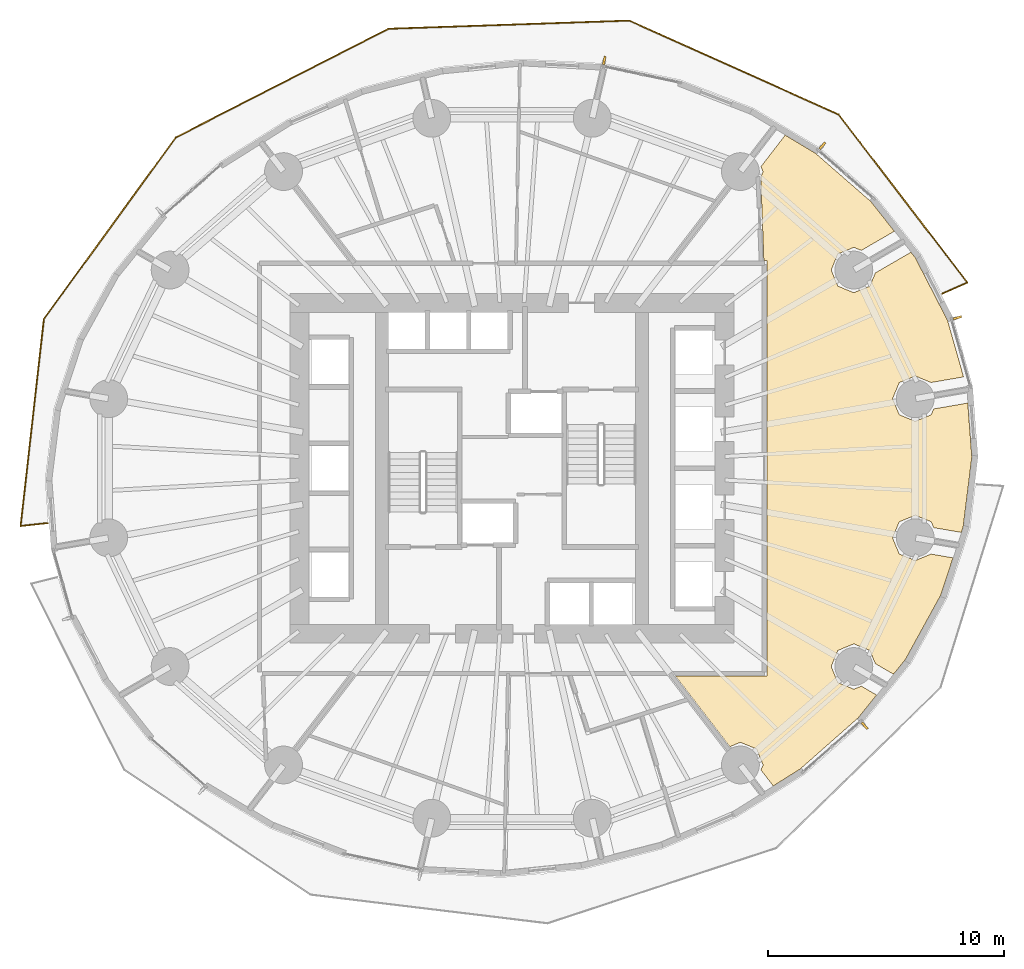
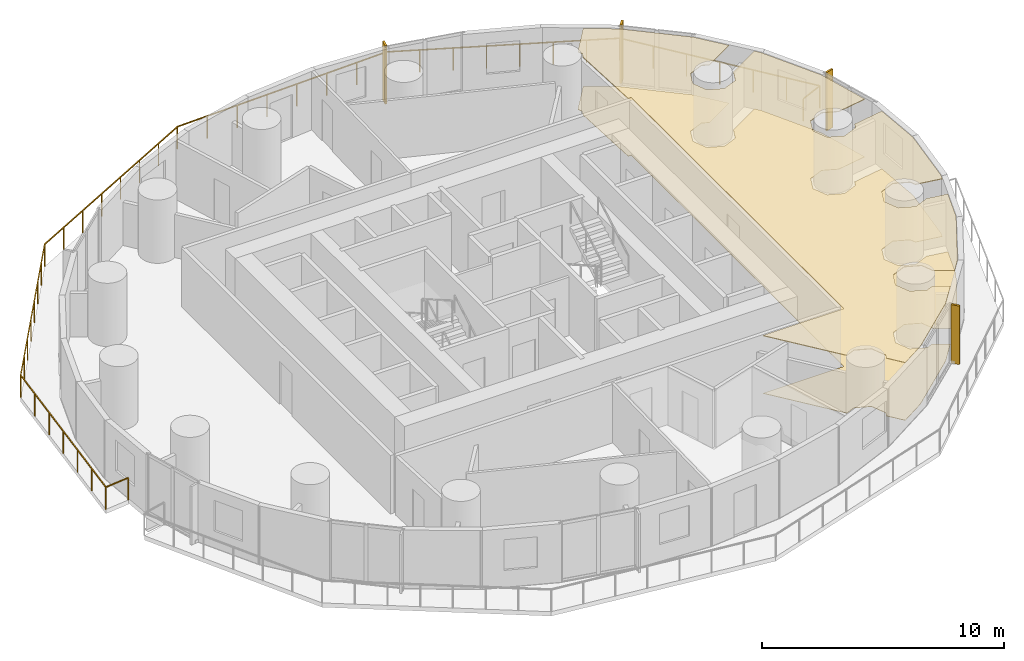
# One storey, part 13 of 13: 4 shading devices, 2 coverings, 1 railing.
"""IFC4 building model written with IfcOpenShell, lengths in metres."""

from ifc_helpers import new_model, si_unit, direction, frame, origin, origin_2d, place, context, subcontext, project, spatial, polyline, rectangle, outline, extrude, material, layer, layer_set, type_object, element, save


model = new_model("IFC4")

# Units and contexts
model_context = context("Model", 3, precision=1e-05, world=origin(), true_north=direction((0.0, 1.0)))
body_context = subcontext(model_context, "Body", "Model", "MODEL_VIEW")
ifc_project = project(units=[si_unit("LENGTHUNIT", "METRE"), si_unit("AREAUNIT", "SQUARE_METRE"), si_unit("VOLUMEUNIT", "CUBIC_METRE"), si_unit("PLANEANGLEUNIT", "RADIAN"), si_unit("MASSUNIT", "GRAM", prefix="KILO")], contexts=[model_context])

# Site, building, storey
site_placement = place(None, origin())
site = spatial("IfcSite", under=ifc_project, at=site_placement, CompositionType="ELEMENT")
building_placement = place(site_placement, origin())
building = spatial("IfcBuilding", under=site, at=building_placement, Name="Veldorim Arch Residences", CompositionType="ELEMENT")
storey_placement = place(building_placement, frame((0.0, 0.0, 44.0)))
storey = spatial("IfcBuildingStorey", under=building, at=storey_placement, Name="L12", CompositionType="ELEMENT", Elevation=44.0)

# Railing
ifc_material_1 = material(Name="Aluminium", Category="aluminium")
railing_type = type_object("IfcRailingType", Name="Balcony & Terrace Laminated Glass Balustrade 1150", PredefinedType="BALUSTRADE", material=ifc_material_1)
railing_placement = place(storey_placement, frame((50.2177734375, 31.396484375, 0.0)))
element("IfcRailing", 1, at=railing_placement, inside=storey, type_object=railing_type, Name="L12 crescent balcony safety balustrade A", PredefinedType="BALUSTRADE", context=body_context, shape_type="SweptSolid", body=[
    extrude(rectangle(XDim=0.048095703125, YDim=0.048095703125, at=origin_2d()), frame((0.0, 0.0, 1.1259765625), z_axis=(0.914650093829, 0.404246466725, 0.0), x_axis=(-0.404246466725, 0.914650093829, 0.0)), (0.0, 0.0, 1.0), 1.14990234375),
    extrude(rectangle(XDim=0.048095703125, YDim=0.048095703125, at=origin_2d()), frame((1.0517578125, 0.46484375, 1.1259765625), z_axis=(-0.608174072746, 0.793803689358, 0.0), x_axis=(-0.793803689358, -0.608174072746, 0.0)), (0.0, 0.0, 1.0), 8.959228515625),
    extrude(rectangle(XDim=0.048095703125, YDim=0.048095703125, at=origin_2d()), frame((-4.39697265625, 7.57666015625, 1.1259765625), z_axis=(-0.912391461702, 0.409318727416, 0.0), x_axis=(-0.409318727416, -0.912391461702, 0.0)), (0.0, 0.0, 1.0), 9.7080078125),
    extrude(rectangle(XDim=0.048095703125, YDim=0.048095703125, at=origin_2d()), frame((-13.25439453125, 11.55029296875, 1.1259765625), z_axis=(-0.999421900422, -0.033998014005, 0.0), x_axis=(0.033998014005, -0.999421900422, 0.0)), (0.0, 0.0, 1.0), 10.197021484375),
    extrude(rectangle(XDim=0.048095703125, YDim=0.048095703125, at=origin_2d()), frame((-23.445556640625, 11.20361328125, 1.1259765625), z_axis=(-0.890528218544, -0.454928007466, 0.0), x_axis=(0.454928007466, -0.890528218544, 0.0)), (0.0, 0.0, 1.0), 10.105224609375),
    extrude(rectangle(XDim=0.048095703125, YDim=0.048095703125, at=origin_2d()), frame((-32.444580078125, 6.6064453125, 1.1259765625), z_axis=(-0.587653663904, -0.809112582587, 0.0), x_axis=(0.809112582587, -0.587653663904, 0.0)), (0.0, 0.0, 1.0), 9.501708984375),
    extrude(rectangle(XDim=0.048095703125, YDim=0.048095703125, at=origin_2d()), frame((-38.0283203125, -1.08154296875, 1.1259765625), z_axis=(-0.111808793335, -0.993729738779, 0.0), x_axis=(0.993729738779, -0.111808793335, 0.0)), (0.0, 0.0, 1.0), 8.812744140625),
    extrude(rectangle(XDim=0.048095703125, YDim=0.048095703125, at=origin_2d()), frame((-39.013671875, -9.839111328125, 1.1259765625), z_axis=(0.994119643816, 0.108287274316, 0.0), x_axis=(-0.108287274316, 0.994119643816, 0.0)), (0.0, 0.0, 1.0), 1.14990234375),
    extrude(rectangle(XDim=0.0419921875, YDim=0.0419921875, at=origin_2d()), origin(), (0.0, 0.0, 1.0), 1.101806640625),
    extrude(rectangle(XDim=0.0419921875, YDim=0.0419921875, at=origin_2d()), frame((1.0517578125, 0.46484375, 0.0)), (0.0, 0.0, 1.0), 1.101806640625),
    extrude(rectangle(XDim=0.0419921875, YDim=0.0419921875, at=origin_2d()), frame((0.1435546875, 1.650146484375, 0.0)), (0.0, 0.0, 1.0), 1.101806640625),
    extrude(rectangle(XDim=0.0419921875, YDim=0.0419921875, at=origin_2d()), frame((-0.764404296875, 2.83544921875, 0.0)), (0.0, 0.0, 1.0), 1.101806640625),
    extrude(rectangle(XDim=0.0419921875, YDim=0.0419921875, at=origin_2d()), frame((-1.672607421875, 4.020751953125, 0.0)), (0.0, 0.0, 1.0), 1.101806640625),
    extrude(rectangle(XDim=0.0419921875, YDim=0.0419921875, at=origin_2d()), frame((-2.580810546875, 5.2060546875, 0.0)), (0.0, 0.0, 1.0), 1.101806640625),
    extrude(rectangle(XDim=0.0419921875, YDim=0.0419921875, at=origin_2d()), frame((-3.48876953125, 6.391357421875, 0.0)), (0.0, 0.0, 1.0), 1.101806640625),
    extrude(rectangle(XDim=0.0419921875, YDim=0.0419921875, at=origin_2d()), frame((-4.39697265625, 7.57666015625, 0.0)), (0.0, 0.0, 1.0), 1.101806640625),
    extrude(rectangle(XDim=0.0419921875, YDim=0.0419921875, at=origin_2d()), frame((-5.662353515625, 8.144287109375, 0.0)), (0.0, 0.0, 1.0), 1.101806640625),
    extrude(rectangle(XDim=0.0419921875, YDim=0.0419921875, at=origin_2d()), frame((-6.927734375, 8.7119140625, 0.0)), (0.0, 0.0, 1.0), 1.101806640625),
    extrude(rectangle(XDim=0.0419921875, YDim=0.0419921875, at=origin_2d()), frame((-8.193115234375, 9.279541015625, 0.0)), (0.0, 0.0, 1.0), 1.101806640625),
    extrude(rectangle(XDim=0.0419921875, YDim=0.0419921875, at=origin_2d()), frame((-9.458251953125, 9.847412109375, 0.0)), (0.0, 0.0, 1.0), 1.101806640625),
    extrude(rectangle(XDim=0.0419921875, YDim=0.0419921875, at=origin_2d()), frame((-10.7236328125, 10.4150390625, 0.0)), (0.0, 0.0, 1.0), 1.101806640625),
    extrude(rectangle(XDim=0.0419921875, YDim=0.0419921875, at=origin_2d()), frame((-11.989013671875, 10.982666015625, 0.0)), (0.0, 0.0, 1.0), 1.101806640625),
    extrude(rectangle(XDim=0.0419921875, YDim=0.0419921875, at=origin_2d()), frame((-13.25439453125, 11.55029296875, 0.0)), (0.0, 0.0, 1.0), 1.101806640625),
    extrude(rectangle(XDim=0.0419921875, YDim=0.0419921875, at=origin_2d()), frame((-14.710205078125, 11.500732421875, 0.0)), (0.0, 0.0, 1.0), 1.101806640625),
    extrude(rectangle(XDim=0.0419921875, YDim=0.0419921875, at=origin_2d()), frame((-16.166259765625, 11.451171875, 0.0)), (0.0, 0.0, 1.0), 1.101806640625),
    extrude(rectangle(XDim=0.0419921875, YDim=0.0419921875, at=origin_2d()), frame((-17.6220703125, 11.401611328125, 0.0)), (0.0, 0.0, 1.0), 1.101806640625),
    extrude(rectangle(XDim=0.0419921875, YDim=0.0419921875, at=origin_2d()), frame((-19.077880859375, 11.352294921875, 0.0)), (0.0, 0.0, 1.0), 1.101806640625),
    extrude(rectangle(XDim=0.0419921875, YDim=0.0419921875, at=origin_2d()), frame((-20.53369140625, 11.302734375, 0.0)), (0.0, 0.0, 1.0), 1.101806640625),
    extrude(rectangle(XDim=0.0419921875, YDim=0.0419921875, at=origin_2d()), frame((-21.98974609375, 11.253173828125, 0.0)), (0.0, 0.0, 1.0), 1.101806640625),
    extrude(rectangle(XDim=0.0419921875, YDim=0.0419921875, at=origin_2d()), frame((-23.445556640625, 11.20361328125, 0.0)), (0.0, 0.0, 1.0), 1.101806640625),
    extrude(rectangle(XDim=0.0419921875, YDim=0.0419921875, at=origin_2d()), frame((-24.731201171875, 10.546875, 0.0)), (0.0, 0.0, 1.0), 1.101806640625),
    extrude(rectangle(XDim=0.0419921875, YDim=0.0419921875, at=origin_2d()), frame((-26.0166015625, 9.89013671875, 0.0)), (0.0, 0.0, 1.0), 1.101806640625),
    extrude(rectangle(XDim=0.0419921875, YDim=0.0419921875, at=origin_2d()), frame((-27.30224609375, 9.2333984375, 0.0)), (0.0, 0.0, 1.0), 1.101806640625),
    extrude(rectangle(XDim=0.0419921875, YDim=0.0419921875, at=origin_2d()), frame((-28.587890625, 8.57666015625, 0.0)), (0.0, 0.0, 1.0), 1.101806640625),
    extrude(rectangle(XDim=0.0419921875, YDim=0.0419921875, at=origin_2d()), frame((-29.87353515625, 7.919921875, 0.0)), (0.0, 0.0, 1.0), 1.101806640625),
    extrude(rectangle(XDim=0.0419921875, YDim=0.0419921875, at=origin_2d()), frame((-31.158935546875, 7.26318359375, 0.0)), (0.0, 0.0, 1.0), 1.101806640625),
    extrude(rectangle(XDim=0.0419921875, YDim=0.0419921875, at=origin_2d()), frame((-32.444580078125, 6.6064453125, 0.0)), (0.0, 0.0, 1.0), 1.101806640625),
    extrude(rectangle(XDim=0.0419921875, YDim=0.0419921875, at=origin_2d()), frame((-33.2421875, 5.508056640625, 0.0)), (0.0, 0.0, 1.0), 1.101806640625),
    extrude(rectangle(XDim=0.0419921875, YDim=0.0419921875, at=origin_2d()), frame((-34.0400390625, 4.409912109375, 0.0)), (0.0, 0.0, 1.0), 1.101806640625),
    extrude(rectangle(XDim=0.0419921875, YDim=0.0419921875, at=origin_2d()), frame((-34.837646484375, 3.3115234375, 0.0)), (0.0, 0.0, 1.0), 1.101806640625),
    extrude(rectangle(XDim=0.0419921875, YDim=0.0419921875, at=origin_2d()), frame((-35.63525390625, 2.21337890625, 0.0)), (0.0, 0.0, 1.0), 1.101806640625),
    extrude(rectangle(XDim=0.0419921875, YDim=0.0419921875, at=origin_2d()), frame((-36.432861328125, 1.114990234375, 0.0)), (0.0, 0.0, 1.0), 1.101806640625),
    extrude(rectangle(XDim=0.0419921875, YDim=0.0419921875, at=origin_2d()), frame((-37.230712890625, 0.016845703125, 0.0)), (0.0, 0.0, 1.0), 1.101806640625),
    extrude(rectangle(XDim=0.0419921875, YDim=0.0419921875, at=origin_2d()), frame((-38.0283203125, -1.08154296875, 0.0)), (0.0, 0.0, 1.0), 1.101806640625),
    extrude(rectangle(XDim=0.0419921875, YDim=0.0419921875, at=origin_2d()), frame((-38.192626953125, -2.541015625, 0.0)), (0.0, 0.0, 1.0), 1.101806640625),
    extrude(rectangle(XDim=0.0419921875, YDim=0.0419921875, at=origin_2d()), frame((-38.356689453125, -4.000732421875, 0.0)), (0.0, 0.0, 1.0), 1.101806640625),
    extrude(rectangle(XDim=0.0419921875, YDim=0.0419921875, at=origin_2d()), frame((-38.52099609375, -5.46044921875, 0.0)), (0.0, 0.0, 1.0), 1.101806640625),
    extrude(rectangle(XDim=0.0419921875, YDim=0.0419921875, at=origin_2d()), frame((-38.685302734375, -6.919921875, 0.0)), (0.0, 0.0, 1.0), 1.101806640625),
    extrude(rectangle(XDim=0.0419921875, YDim=0.0419921875, at=origin_2d()), frame((-38.849365234375, -8.37939453125, 0.0)), (0.0, 0.0, 1.0), 1.101806640625),
    extrude(rectangle(XDim=0.0419921875, YDim=0.0419921875, at=origin_2d()), frame((-39.013671875, -9.839111328125, 0.0)), (0.0, 0.0, 1.0), 1.101806640625),
    extrude(rectangle(XDim=0.0419921875, YDim=0.0419921875, at=origin_2d()), frame((-37.87060546875, -9.714599609375, 0.0)), (0.0, 0.0, 1.0), 1.101806640625),
])

# Coverings
ifc_material_2 = material(Name="Acoustic Gypsum & Mineral Fibre", Category="gypsum")
ifc_layer_1 = layer(ifc_material_2, 0.034912109375, Name="Perforated Acoustic Mineral-Fibre Ceiling 35")
ifc_layer_set_1 = layer_set([ifc_layer_1], Name="Acoustic Gypsum & Mineral Fibre")
covering_type_1 = type_object("IfcCoveringType", Name="Perforated Acoustic Mineral-Fibre Ceiling 35", PredefinedType="CEILING", material=ifc_layer_set_1)
covering_1_placement = place(storey_placement, frame((0.0, 0.0, 2.905029296875)))
element("IfcCovering", 2, at=covering_1_placement, inside=storey, type_object=covering_type_1, Name="L12 acoustic suspended ceiling 02", PredefinedType="CEILING", context=body_context, shape_type="SweptSolid", body=[
    extrude(outline(polyline([(48.386962890625, 21.73291015625), (48.105712890625, 21.05419921875), (48.386962890625, 20.37548828125), (49.065673828125, 20.09423828125), (49.73291015625, 20.37060546875), (50.66357421875, 20.2099609375), (50.148193359375, 18.637939453125), (48.65185546875, 15.914794921875), (48.143798828125, 15.2861328125), (47.3779296875, 15.730224609375), (47.146240234375, 16.28955078125), (46.467529296875, 16.57080078125), (45.788818359375, 16.28955078125), (45.5078125, 15.61083984375), (45.788818359375, 14.93212890625), (46.467529296875, 14.65087890625), (46.781982421875, 14.78125), (47.431396484375, 14.404541015625), (46.6484375, 13.435546875), (44.1982421875, 11.27587890625), (43.055908203125, 10.55859375), (42.5380859375, 11.23095703125), (42.626708984375, 11.44482421875), (42.345703125, 12.12353515625), (41.6669921875, 12.40478515625), (41.221435546875, 12.22021484375), (38.927001953125, 15.199951171875), (42.800048828125, 15.199951171875), (42.800048828125, 32.800048828125), (42.65771484375, 32.800048828125), (42.527587890625, 36.315673828125), (42.626708984375, 36.55517578125), (42.5380859375, 36.76904296875), (43.56103515625, 38.097412109375), (44.84521484375, 37.328857421875), (47.1884765625, 35.2880859375), (48.181884765625, 34.030517578125), (46.781982421875, 33.21875), (46.467529296875, 33.34912109375), (45.788818359375, 33.06787109375), (45.5078125, 32.38916015625), (45.788818359375, 31.71044921875), (46.467529296875, 31.42919921875), (47.146240234375, 31.71044921875), (47.3779296875, 32.269775390625), (48.88330078125, 33.142578125), (49.0693359375, 32.906982421875), (50.432373046875, 30.257568359375), (51.1103515625, 27.8671875), (49.73291015625, 27.62939453125), (49.065673828125, 27.90576171875), (48.386962890625, 27.62451171875), (48.105712890625, 26.94580078125), (48.386962890625, 26.26708984375), (49.065673828125, 25.986083984375), (49.744384765625, 26.26708984375), (49.845947265625, 26.51220703125), (51.287109375, 26.760986328125), (51.459716796875, 24.478515625), (51.093505859375, 21.521484375), (51.01611328125, 21.28564453125), (49.845947265625, 21.48779296875), (49.744384765625, 21.73291015625), (49.065673828125, 22.013916015625), (48.386962890625, 21.73291015625)])), origin(), (0.0, 0.0, 1.0), 0.034912109375),
])
ifc_material_3 = material(Name="Porcelain Ceramic Tile", Category="ceramic")
ifc_layer_2 = layer(ifc_material_3, 0.02001953125, Name="Slip-Resistant Porcelain & Vinyl Floor Finish 20")
ifc_layer_set_2 = layer_set([ifc_layer_2], Name="Porcelain Ceramic Tile")
covering_type_2 = type_object("IfcCoveringType", Name="Slip-Resistant Porcelain & Vinyl Floor Finish 20", PredefinedType="FLOORING", material=ifc_layer_set_2)
covering_2_placement = place(storey_placement, origin())
element("IfcCovering", 3, at=covering_2_placement, inside=storey, type_object=covering_type_2, Name="L12 porcelain floor finish 02", PredefinedType="FLOORING", context=body_context, shape_type="SweptSolid", body=[
    extrude(outline(polyline([(48.386962890625, 21.73291015625), (48.105712890625, 21.05419921875), (48.386962890625, 20.37548828125), (49.065673828125, 20.09423828125), (49.73291015625, 20.37060546875), (50.66357421875, 20.2099609375), (50.148193359375, 18.637939453125), (48.65185546875, 15.914794921875), (48.143798828125, 15.2861328125), (47.3779296875, 15.730224609375), (47.146240234375, 16.28955078125), (46.467529296875, 16.57080078125), (45.788818359375, 16.28955078125), (45.5078125, 15.61083984375), (45.788818359375, 14.93212890625), (46.467529296875, 14.65087890625), (46.781982421875, 14.78125), (47.431396484375, 14.404541015625), (46.6484375, 13.435546875), (44.1982421875, 11.27587890625), (43.055908203125, 10.55859375), (42.5380859375, 11.23095703125), (42.626708984375, 11.44482421875), (42.345703125, 12.12353515625), (41.6669921875, 12.40478515625), (41.221435546875, 12.22021484375), (38.927001953125, 15.199951171875), (42.800048828125, 15.199951171875), (42.800048828125, 32.800048828125), (42.65771484375, 32.800048828125), (42.527587890625, 36.315673828125), (42.626708984375, 36.55517578125), (42.5380859375, 36.76904296875), (43.56103515625, 38.097412109375), (44.84521484375, 37.328857421875), (47.1884765625, 35.2880859375), (48.181884765625, 34.030517578125), (46.781982421875, 33.21875), (46.467529296875, 33.34912109375), (45.788818359375, 33.06787109375), (45.5078125, 32.38916015625), (45.788818359375, 31.71044921875), (46.467529296875, 31.42919921875), (47.146240234375, 31.71044921875), (47.3779296875, 32.269775390625), (48.88330078125, 33.142578125), (49.0693359375, 32.906982421875), (50.432373046875, 30.257568359375), (51.1103515625, 27.8671875), (49.73291015625, 27.62939453125), (49.065673828125, 27.90576171875), (48.386962890625, 27.62451171875), (48.105712890625, 26.94580078125), (48.386962890625, 26.26708984375), (49.065673828125, 25.986083984375), (49.744384765625, 26.26708984375), (49.845947265625, 26.51220703125), (51.287109375, 26.760986328125), (51.459716796875, 24.478515625), (51.093505859375, 21.521484375), (51.01611328125, 21.28564453125), (49.845947265625, 21.48779296875), (49.744384765625, 21.73291015625), (49.065673828125, 22.013916015625), (48.386962890625, 21.73291015625)])), origin(), (0.0, 0.0, 1.0), 0.02001953125),
])

# Shading devices
ifc_material_4 = material(Name="Terracotta Ceramic", Category="masonry")
ifc_layer_3 = layer(ifc_material_4, 0.090087890625, Name="Vertical Extruded Terracotta Baguette Sun-Shading Fin")
ifc_layer_set_3 = layer_set([ifc_layer_3], Name="Terracotta Ceramic")
shading_device_type = type_object("IfcShadingDeviceType", Name="Vertical Extruded Terracotta Baguette Sun-Shading Fin", PredefinedType="USERDEFINED", material=ifc_layer_set_3)
for number, where, z_axis, x_axis, name in (
    (4, (50.850341796875, 30.369140625, 0.0), (0.0, 0.0, 1.0), (0.272784025857, -0.962075296033, 0.0), "L12 vertical terracotta sun-shading fin 01"),
    (5, (45.13623046875, 37.648681640625, 0.0), (0.0, 0.0, 1.0), (0.754136773416, -0.656717387452, 0.0), "L12 vertical terracotta sun-shading fin 04"),
    (6, (35.906005859375, 41.260498046875, 0.0), (0.0, 0.0, 1.0), (0.978256328953, -0.207399505455, 0.0), "L12 vertical terracotta sun-shading fin 07"),
    (7, (46.926513671875, 13.10400390625, 0.0), (0.0, 0.0, 1.0), (-0.750226478899, -0.661180936173, 0.0), "L12 vertical terracotta sun-shading fin 31"),
):
    element("IfcShadingDevice", number, at=place(storey_placement, frame(where, z_axis=z_axis, x_axis=x_axis)), inside=storey, type_object=shading_device_type, Name=name, ObjectType="FIN", PredefinedType="USERDEFINED", context=body_context, shape_type="SweptSolid", body=[
        extrude(rectangle(XDim=0.090087890625, YDim=0.360107421875, at=origin_2d()), origin(), (0.0, 0.0, 1.0), 2.9599609375),
    ])

save(model, "model.ifc")
